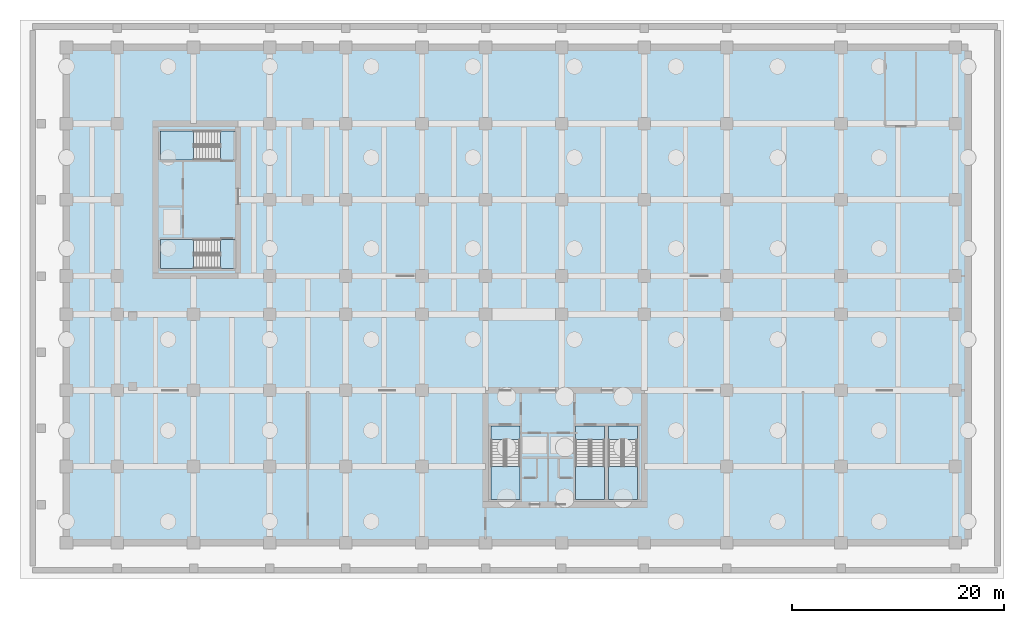
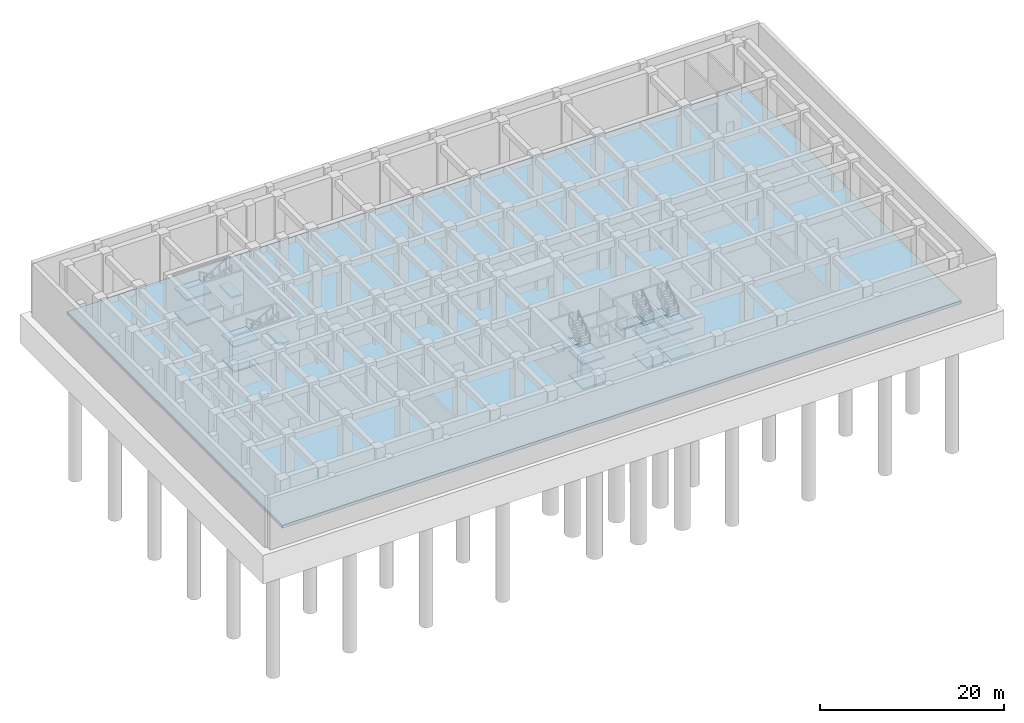
# One storey, part 3 of 13: 16 slabs, 5 elements without a shape of their own.
"""IFC4 building model written with IfcOpenShell, lengths in metres."""

import ifcopenshell
import ifcopenshell.guid

model = None  # the IFC model being written
_history = None  # IfcOwnerHistory: only IFC2X3 demands one
_inside = {}  # id of a spatial element -> (the spatial element, [elements in it])
_under = {}  # id of a project, library or spatial element -> (it, [spatial elements below it])
_declared = {}  # id of a project -> (the project, [libraries it declares])
_typed = {}  # id of a type object -> (the type object, [elements of that type])
_made_of = {}  # id of a material, layer set ... -> (it, [elements and type objects made of it])


def new_model(schema):
    """Start an empty IFC model of exactly this schema.

    Asked for "IFC4X3", IfcOpenShell would pick the latest addendum, in which some entities
    have other attributes; the version numbers below select the first issue.
    IFC2X3 requires an IfcOwnerHistory on every rooted entity: one is made here for all.
    """
    global model, _history
    if schema == "IFC4X3":
        model = ifcopenshell.file(schema_version=(4, 3, 0, 0))
    else:
        model = ifcopenshell.file(schema=schema)
    _inside.clear()
    _under.clear()
    _declared.clear()
    _typed.clear()
    _made_of.clear()
    _history = None
    if model.schema == "IFC2X3":
        org = make("IfcOrganization", Name="unknown")
        user = make(
            "IfcPersonAndOrganization",
            ThePerson=make("IfcPerson", FamilyName="unknown"),
            TheOrganization=org,
        )
        app = make(
            "IfcApplication",
            ApplicationDeveloper=org,
            Version="unknown",
            ApplicationFullName="unknown",
            ApplicationIdentifier="unknown",
        )
        _history = make(
            "IfcOwnerHistory",
            OwningUser=user,
            OwningApplication=app,
            ChangeAction="ADDED",
            CreationDate=0,
        )
    return model


def make(cls, **values):
    """One entity of the class cls with the attributes given. An attribute that is None is left unset."""
    return model.create_entity(
        cls, **{name: value for name, value in values.items() if value is not None}
    )


def rooted(cls, **values):
    """An entity with a GlobalId (a new one), such as an element, a storey or a relation."""
    return make(cls, GlobalId=ifcopenshell.guid.new(), OwnerHistory=_history, **values)


def si_unit(unit_type, name, prefix=None):
    """IfcSIUnit, for example si_unit("LENGTHUNIT", "METRE", prefix="MILLI")."""
    return make("IfcSIUnit", UnitType=unit_type, Prefix=prefix, Name=name)


def derived_unit(unit_type, elements):
    """IfcDerivedUnit: a product of units, each with its exponent."""
    return make(
        "IfcDerivedUnit",
        Elements=[
            make("IfcDerivedUnitElement", Unit=unit, Exponent=power)
            for unit, power in elements
        ],
        UnitType=unit_type,
    )


def assignment(units):
    """IfcUnitAssignment: the units of a project."""
    return None if units is None else make("IfcUnitAssignment", Units=units)


def point(xyz):
    """IfcCartesianPoint."""
    return None if xyz is None else make("IfcCartesianPoint", Coordinates=xyz)


def direction(xyz):
    """IfcDirection."""
    return None if xyz is None else make("IfcDirection", DirectionRatios=xyz)


def frame(location, z_axis=None, x_axis=None):
    """IfcAxis2Placement3D, a coordinate frame: its origin and axes. An axis left out is left unset."""
    return make(
        "IfcAxis2Placement3D",
        Location=point(location),
        Axis=direction(z_axis),
        RefDirection=direction(x_axis),
    )


def origin():
    """The frame at (0, 0, 0) with its axes left unset."""
    return frame((0.0, 0.0, 0.0))


def place(relative_to, where):
    """IfcLocalPlacement: puts the frame where relative to a parent placement (None: the world)."""
    return make(
        "IfcLocalPlacement", PlacementRelTo=relative_to, RelativePlacement=where
    )


def context(
    kind, dimensions, precision=None, world=None, true_north=None, identifier=None
):
    """IfcGeometricRepresentationContext, for example the 3D "Model" context."""
    return make(
        "IfcGeometricRepresentationContext",
        ContextIdentifier=identifier,
        ContextType=kind,
        CoordinateSpaceDimension=dimensions,
        Precision=precision,
        WorldCoordinateSystem=world,
        TrueNorth=true_north,
    )


def subcontext(parent, identifier, kind, view, scale=None):
    """IfcGeometricRepresentationSubContext, for example "Body" below "Model"."""
    return make(
        "IfcGeometricRepresentationSubContext",
        ContextIdentifier=identifier,
        ContextType=kind,
        ParentContext=parent,
        TargetScale=scale,
        TargetView=view,
    )


def project(units=None, contexts=None):
    """IfcProject with its units and contexts."""
    return rooted(
        "IfcProject",
        Name="project",
        RepresentationContexts=contexts,
        UnitsInContext=assignment(units),
    )


def spatial(cls, under=None, at=None, **own):
    """A site, building, storey or space (cls), placed at a placement, below another one or the project."""
    s = rooted(cls, ObjectPlacement=at, **own)
    if under is not None:
        _under.setdefault(under.id(), (under, []))[1].append(s)
    return s


def polyline(points):
    """IfcPolyline through the points."""
    return make("IfcPolyline", Points=[point(p) for p in points])


def outline(outer, holes=None, kind="AREA"):
    """IfcArbitraryClosedProfileDef: a profile drawn as a closed curve; with holes, ...WithVoids."""
    if holes is None:
        return make("IfcArbitraryClosedProfileDef", ProfileType=kind, OuterCurve=outer)
    return make(
        "IfcArbitraryProfileDefWithVoids",
        ProfileType=kind,
        OuterCurve=outer,
        InnerCurves=holes,
    )


def extrude(swept, where, along, depth):
    """IfcExtrudedAreaSolid: the profile swept, set in the frame where, extruded along a direction by depth."""
    return make(
        "IfcExtrudedAreaSolid",
        SweptArea=swept,
        Position=where,
        ExtrudedDirection=direction(along),
        Depth=depth,
    )


def shape(context_of_items, identifier, shape_type, items):
    """IfcShapeRepresentation: the items that make up one representation, for example the "Body"."""
    return make(
        "IfcShapeRepresentation",
        ContextOfItems=context_of_items,
        RepresentationIdentifier=identifier,
        RepresentationType=shape_type,
        Items=items,
    )


def material(Name=None, Category=None):
    """IfcMaterial."""
    return make("IfcMaterial", Name=Name, Category=Category)


def layer(
    of_material, thickness, ventilated=None, Name=None, Category=None, Priority=None
):
    """IfcMaterialLayer: one layer of a wall or slab, of a material (None: an air gap)."""
    return make(
        "IfcMaterialLayer",
        Material=of_material,
        LayerThickness=thickness,
        IsVentilated=ventilated,
        Name=Name,
        Category=Category,
        Priority=Priority,
    )


def layer_set(layers, Name=None):
    """IfcMaterialLayerSet."""
    return make("IfcMaterialLayerSet", MaterialLayers=layers, LayerSetName=Name)


def made_of(thing, what):
    """Note that an element or type object is made of a material, layer set ...; save() writes the relation."""
    if what is not None:
        _made_of.setdefault(what.id(), (what, []))[1].append(thing)
    return thing


def type_object(cls, material=None, **own):
    """A type object (cls), such as IfcWallType, which elements share."""
    return made_of(rooted(cls, **own), material)


def element(
    cls,
    number,
    at=None,
    inside=None,
    cuts=None,
    type_object=None,
    material=None,
    context=None,
    identifier="Body",
    shape_type=None,
    held_by="IfcProductDefinitionShape",
    body=None,
    shapes=None,
    **own,
):
    """One element of the class cls, such as IfcWall. Its Tag is "e" and its number.

    at: its placement. inside: the storey or other place that contains it. cuts: it is an
    opening in that element (IfcRelVoidsElement). A single representation is given by context,
    identifier, shape_type and body (its items); several are given by shapes. held_by: the class
    of the entity that holds the representations. save() writes the other relations.
    """
    e = rooted(cls, Tag="e%d" % number, ObjectPlacement=at, **own)
    if body is not None:
        shapes = [shape(context, identifier, shape_type, body)]
    if shapes is not None:
        e.Representation = make(held_by, Representations=shapes)
    if inside is not None:
        _inside.setdefault(inside.id(), (inside, []))[1].append(e)
    if cuts is not None:
        rooted(
            "IfcRelVoidsElement", RelatingBuildingElement=cuts, RelatedOpeningElement=e
        )
    if type_object is not None:
        _typed.setdefault(type_object.id(), (type_object, []))[1].append(e)
    return made_of(e, material)


def aggregate(whole, parts):
    """IfcRelAggregates: a whole, such as a stair, and the parts it consists of."""
    return rooted("IfcRelAggregates", RelatingObject=whole, RelatedObjects=parts)


def save(model, path):
    """Write the relations noted so far, then the file.

    IfcRelAggregates (storeys below a building ...), IfcRelContainedInSpatialStructure (elements
    in a storey), IfcRelDefinesByType, IfcRelAssociatesMaterial and IfcRelDeclares: one each for
    every whole, place, type object, material and project.
    """
    for whole, parts in _under.values():
        aggregate(whole, parts)
    for where, things in _inside.values():
        rooted(
            "IfcRelContainedInSpatialStructure",
            RelatedElements=things,
            RelatingStructure=where,
        )
    for kind, things in _typed.values():
        rooted("IfcRelDefinesByType", RelatedObjects=things, RelatingType=kind)
    for what, things in _made_of.values():
        rooted("IfcRelAssociatesMaterial", RelatedObjects=things, RelatingMaterial=what)
    for by, libraries in _declared.values():
        rooted("IfcRelDeclares", RelatingContext=by, RelatedDefinitions=libraries)
    model.write(path)


model = new_model("IFC4")

# Units and contexts
model_context = context("Model", 3, precision=1e-05, world=origin(), true_north=direction((0.0, 1.0)))
body_context = subcontext(model_context, "Body", "Model", "MODEL_VIEW")
ifc_project = project(units=[si_unit("LENGTHUNIT", "METRE"), si_unit("AREAUNIT", "SQUARE_METRE"), si_unit("VOLUMEUNIT", "CUBIC_METRE"), si_unit("PLANEANGLEUNIT", "RADIAN"), si_unit("MASSUNIT", "GRAM", prefix="KILO"), si_unit("THERMODYNAMICTEMPERATUREUNIT", "KELVIN"), si_unit("POWERUNIT", "WATT"), derived_unit("THERMALTRANSMITTANCEUNIT", [(si_unit("POWERUNIT", "WATT"), 1), (si_unit("AREAUNIT", "SQUARE_METRE"), -1), (si_unit("THERMODYNAMICTEMPERATUREUNIT", "KELVIN"), -1)])], contexts=[model_context])

# Site, building, storey
site_placement = place(None, origin())
site = spatial("IfcSite", under=ifc_project, at=site_placement, CompositionType="ELEMENT")
building_placement = place(site_placement, origin())
building = spatial("IfcBuilding", under=site, at=building_placement, Name="Zahravan Archway Hotel and Residences", CompositionType="ELEMENT")
storey_placement = place(building_placement, frame((0.0, 0.0, -13.0)))
storey = spatial("IfcBuildingStorey", under=building, at=storey_placement, Name="B02", CompositionType="ELEMENT", Elevation=-13.0)

# Slab
ifc_material = material(Name="Concrete C50/60", Category="concrete")
ifc_layer_1 = layer(ifc_material, 0.39990234375, Name="Concrete C50/60", Category="concrete")
ifc_layer_set_1 = layer_set([ifc_layer_1], Name="Concrete C50/60")
slab_type_1 = type_object("IfcSlabType", Name="SLB-BASE-400", PredefinedType="BASESLAB", material=ifc_layer_set_1)
slab_1_placement = place(storey_placement, frame((0.0, 0.0, -0.39990234375)))
element("IfcSlab", 1, at=slab_1_placement, inside=storey, type_object=slab_type_1, Name="B02 Base Slab MAIN", PredefinedType="BASESLAB", context=body_context, shape_type="SweptSolid", body=[
    extrude(outline(polyline([(-4.800048828125, 0.0), (80.39990234375, 0.0), (80.39990234375, 46.800048828125), (-4.800048828125, 46.800048828125), (-4.800048828125, 0.0)])), origin(), (0.0, 0.0, 1.0), 0.39990234375),
])

# Stair, slabs
stair_type = type_object("IfcStairType", Name="STR-CORE-1300", PredefinedType="HALF_TURN_STAIR", material=ifc_material)
stair_1_placement = place(storey_placement, origin())
stair_1 = element("IfcStair", 2, at=stair_1_placement, inside=storey, type_object=stair_type, Name="B02 Core A Exit Stair 1", PredefinedType="HALF_TURN_STAIR")
ifc_layer_2 = layer(ifc_material, 0.199951171875, Name="Concrete C50/60", Category="concrete")
ifc_layer_set_2 = layer_set([ifc_layer_2], Name="Concrete C50/60")
slab_type_2 = type_object("IfcSlabType", Name="SLB-LND-200", PredefinedType="LANDING", material=ifc_layer_set_2)
slab_2_placement = place(storey_placement, frame((0.0, 0.0, 1.425048828125)))
slab_2 = element("IfcSlab", 3, at=slab_2_placement, type_object=slab_type_2, Name="ST-A1 landing 1", PredefinedType="LANDING", context=body_context, shape_type="SweptSolid", body=[
    extrude(outline(polyline([(35.300048828125, 7.2099609375), (35.300048828125, 4.10009765625), (38.0400390625, 4.10009765625), (38.0400390625, 7.2099609375), (35.300048828125, 7.2099609375)])), origin(), (0.0, 0.0, 1.0), 0.199951171875),
])
slab_3_placement = place(storey_placement, frame((0.0, 0.0, 3.050048828125)))
slab_3 = element("IfcSlab", 4, at=slab_3_placement, type_object=slab_type_2, Name="ST-A1 landing 2", PredefinedType="LANDING", context=body_context, shape_type="SweptSolid", body=[
    extrude(outline(polyline([(35.300048828125, 11.050048828125), (35.300048828125, 9.72998046875), (38.0400390625, 9.72998046875), (38.0400390625, 11.050048828125), (35.300048828125, 11.050048828125)])), origin(), (0.0, 0.0, 1.0), 0.199951171875),
])
slab_4_placement = place(storey_placement, frame((0.0, 0.0, 4.675048828125)))
slab_4 = element("IfcSlab", 5, at=slab_4_placement, type_object=slab_type_2, Name="ST-A1 landing 3", PredefinedType="LANDING", context=body_context, shape_type="SweptSolid", body=[
    extrude(outline(polyline([(35.300048828125, 7.2099609375), (35.300048828125, 4.10009765625), (38.0400390625, 4.10009765625), (38.0400390625, 7.2099609375), (35.300048828125, 7.2099609375)])), origin(), (0.0, 0.0, 1.0), 0.199951171875),
])
aggregate(stair_1, [slab_2, slab_3, slab_4])

stair_2_placement = place(storey_placement, origin())
stair_2 = element("IfcStair", 6, at=stair_2_placement, inside=storey, type_object=stair_type, Name="B02 Core A Exit Stair 2", PredefinedType="HALF_TURN_STAIR")
slab_5_placement = place(storey_placement, frame((0.0, 0.0, 1.425048828125)))
slab_5 = element("IfcSlab", 7, at=slab_5_placement, type_object=slab_type_2, Name="ST-A2 landing 1", PredefinedType="LANDING", context=body_context, shape_type="SweptSolid", body=[
    extrude(outline(polyline([(43.320068359375, 7.2099609375), (43.320068359375, 4.10009765625), (46.06005859375, 4.10009765625), (46.06005859375, 7.2099609375), (43.320068359375, 7.2099609375)])), origin(), (0.0, 0.0, 1.0), 0.199951171875),
])
slab_6_placement = place(storey_placement, frame((0.0, 0.0, 3.050048828125)))
slab_6 = element("IfcSlab", 8, at=slab_6_placement, type_object=slab_type_2, Name="ST-A2 landing 2", PredefinedType="LANDING", context=body_context, shape_type="SweptSolid", body=[
    extrude(outline(polyline([(43.320068359375, 11.050048828125), (43.320068359375, 9.72998046875), (46.06005859375, 9.72998046875), (46.06005859375, 11.050048828125), (43.320068359375, 11.050048828125)])), origin(), (0.0, 0.0, 1.0), 0.199951171875),
])
slab_7_placement = place(storey_placement, frame((0.0, 0.0, 4.675048828125)))
slab_7 = element("IfcSlab", 9, at=slab_7_placement, type_object=slab_type_2, Name="ST-A2 landing 3", PredefinedType="LANDING", context=body_context, shape_type="SweptSolid", body=[
    extrude(outline(polyline([(43.320068359375, 7.2099609375), (43.320068359375, 4.10009765625), (46.06005859375, 4.10009765625), (46.06005859375, 7.2099609375), (43.320068359375, 7.2099609375)])), origin(), (0.0, 0.0, 1.0), 0.199951171875),
])
aggregate(stair_2, [slab_5, slab_6, slab_7])

stair_3_placement = place(storey_placement, origin())
stair_3 = element("IfcStair", 10, at=stair_3_placement, inside=storey, type_object=stair_type, Name="B02 Core A Exit Stair 3", PredefinedType="HALF_TURN_STAIR")
slab_8_placement = place(storey_placement, frame((0.0, 0.0, 1.425048828125)))
slab_8 = element("IfcSlab", 11, at=slab_8_placement, type_object=slab_type_2, Name="ST-A3 landing 1", PredefinedType="LANDING", context=body_context, shape_type="SweptSolid", body=[
    extrude(outline(polyline([(46.39990234375, 7.2099609375), (46.39990234375, 4.10009765625), (49.139892578125, 4.10009765625), (49.139892578125, 7.2099609375), (46.39990234375, 7.2099609375)])), origin(), (0.0, 0.0, 1.0), 0.199951171875),
])
slab_9_placement = place(storey_placement, frame((0.0, 0.0, 3.050048828125)))
slab_9 = element("IfcSlab", 12, at=slab_9_placement, type_object=slab_type_2, Name="ST-A3 landing 2", PredefinedType="LANDING", context=body_context, shape_type="SweptSolid", body=[
    extrude(outline(polyline([(46.39990234375, 11.050048828125), (46.39990234375, 9.72998046875), (49.139892578125, 9.72998046875), (49.139892578125, 11.050048828125), (46.39990234375, 11.050048828125)])), origin(), (0.0, 0.0, 1.0), 0.199951171875),
])
slab_10_placement = place(storey_placement, frame((0.0, 0.0, 4.675048828125)))
slab_10 = element("IfcSlab", 13, at=slab_10_placement, type_object=slab_type_2, Name="ST-A3 landing 3", PredefinedType="LANDING", context=body_context, shape_type="SweptSolid", body=[
    extrude(outline(polyline([(46.39990234375, 7.2099609375), (46.39990234375, 4.10009765625), (49.139892578125, 4.10009765625), (49.139892578125, 7.2099609375), (46.39990234375, 7.2099609375)])), origin(), (0.0, 0.0, 1.0), 0.199951171875),
])
aggregate(stair_3, [slab_8, slab_9, slab_10])

stair_4_placement = place(storey_placement, origin())
stair_4 = element("IfcStair", 14, at=stair_4_placement, inside=storey, type_object=stair_type, Name="B02 Core B Exit Stair 1", PredefinedType="HALF_TURN_STAIR")
slab_11_placement = place(storey_placement, frame((0.0, 0.0, 1.425048828125)))
slab_11 = element("IfcSlab", 15, at=slab_11_placement, type_object=slab_type_2, Name="ST-B1 landing 1", PredefinedType="LANDING", context=body_context, shape_type="SweptSolid", body=[
    extrude(outline(polyline([(7.2099609375, 28.639892578125), (4.10009765625, 28.639892578125), (4.10009765625, 25.89990234375), (7.2099609375, 25.89990234375), (7.2099609375, 28.639892578125)])), origin(), (0.0, 0.0, 1.0), 0.199951171875),
])
slab_12_placement = place(storey_placement, frame((0.0, 0.0, 3.050048828125)))
slab_12 = element("IfcSlab", 16, at=slab_12_placement, type_object=slab_type_2, Name="ST-B1 landing 2", PredefinedType="LANDING", context=body_context, shape_type="SweptSolid", body=[
    extrude(outline(polyline([(11.050048828125, 28.639892578125), (9.72998046875, 28.639892578125), (9.72998046875, 25.89990234375), (11.050048828125, 25.89990234375), (11.050048828125, 28.639892578125)])), origin(), (0.0, 0.0, 1.0), 0.199951171875),
])
slab_13_placement = place(storey_placement, frame((0.0, 0.0, 4.675048828125)))
slab_13 = element("IfcSlab", 17, at=slab_13_placement, type_object=slab_type_2, Name="ST-B1 landing 3", PredefinedType="LANDING", context=body_context, shape_type="SweptSolid", body=[
    extrude(outline(polyline([(7.2099609375, 28.639892578125), (4.10009765625, 28.639892578125), (4.10009765625, 25.89990234375), (7.2099609375, 25.89990234375), (7.2099609375, 28.639892578125)])), origin(), (0.0, 0.0, 1.0), 0.199951171875),
])
aggregate(stair_4, [slab_11, slab_12, slab_13])

stair_5_placement = place(storey_placement, origin())
stair_5 = element("IfcStair", 18, at=stair_5_placement, inside=storey, type_object=stair_type, Name="B02 Core B Exit Stair 2", PredefinedType="HALF_TURN_STAIR")
slab_14_placement = place(storey_placement, frame((0.0, 0.0, 1.425048828125)))
slab_14 = element("IfcSlab", 19, at=slab_14_placement, type_object=slab_type_2, Name="ST-B2 landing 1", PredefinedType="LANDING", context=body_context, shape_type="SweptSolid", body=[
    extrude(outline(polyline([(7.2099609375, 38.89990234375), (4.10009765625, 38.89990234375), (4.10009765625, 36.159912109375), (7.2099609375, 36.159912109375), (7.2099609375, 38.89990234375)])), origin(), (0.0, 0.0, 1.0), 0.199951171875),
])
slab_15_placement = place(storey_placement, frame((0.0, 0.0, 3.050048828125)))
slab_15 = element("IfcSlab", 20, at=slab_15_placement, type_object=slab_type_2, Name="ST-B2 landing 2", PredefinedType="LANDING", context=body_context, shape_type="SweptSolid", body=[
    extrude(outline(polyline([(11.050048828125, 38.89990234375), (9.72998046875, 38.89990234375), (9.72998046875, 36.159912109375), (11.050048828125, 36.159912109375), (11.050048828125, 38.89990234375)])), origin(), (0.0, 0.0, 1.0), 0.199951171875),
])
slab_16_placement = place(storey_placement, frame((0.0, 0.0, 4.675048828125)))
slab_16 = element("IfcSlab", 21, at=slab_16_placement, type_object=slab_type_2, Name="ST-B2 landing 3", PredefinedType="LANDING", context=body_context, shape_type="SweptSolid", body=[
    extrude(outline(polyline([(7.2099609375, 38.89990234375), (4.10009765625, 38.89990234375), (4.10009765625, 36.159912109375), (7.2099609375, 36.159912109375), (7.2099609375, 38.89990234375)])), origin(), (0.0, 0.0, 1.0), 0.199951171875),
])
aggregate(stair_5, [slab_14, slab_15, slab_16])

save(model, "model.ifc")
